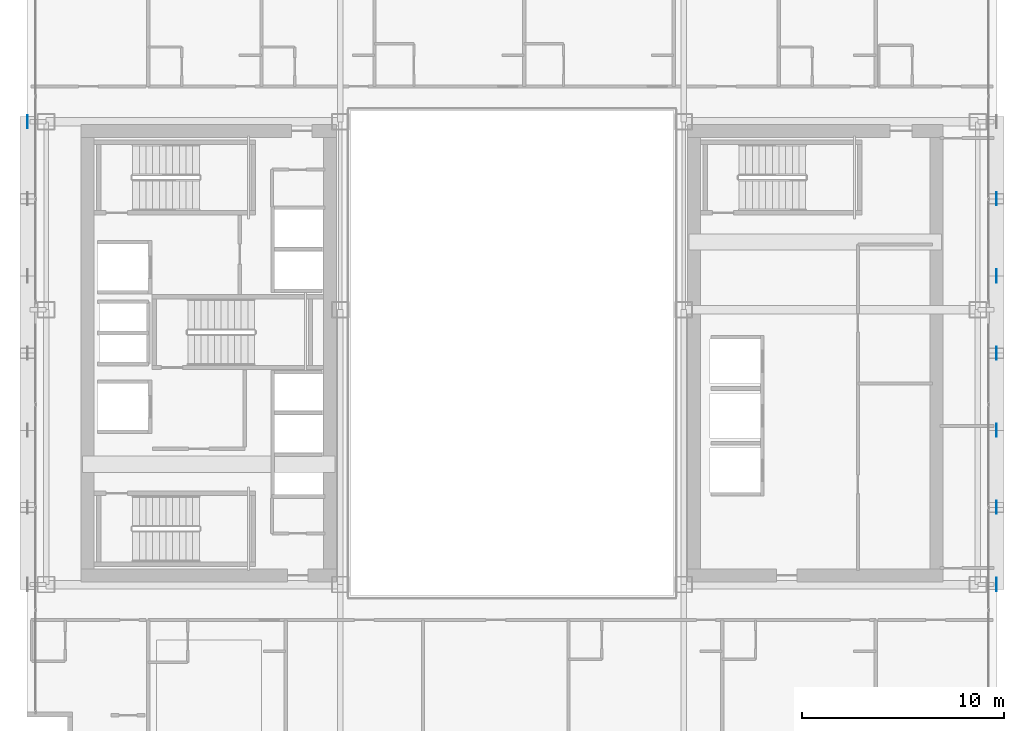
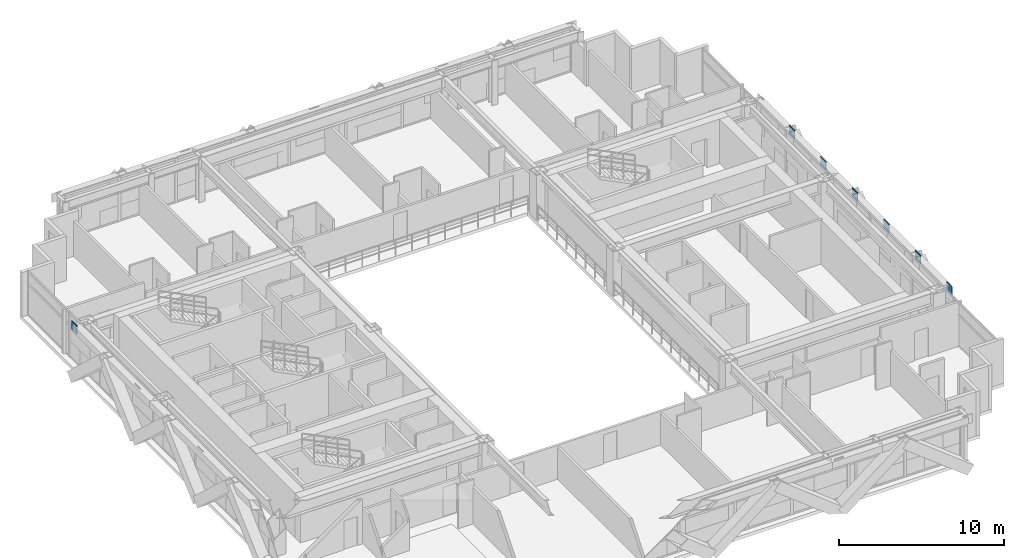
# One storey, part 26 of 36: 7 plates.
"""IFC4 building model written with IfcOpenShell, lengths in metres."""

from ifc_helpers import new_model, si_unit, direction, frame, origin, origin_2d, place, context, subcontext, project, spatial, rectangle, extrude, source, transform, mapped, material, layer, layer_set, type_object, element, save


model = new_model("IFC4")

# Units and contexts
model_context = context("Model", 3, precision=1e-05, world=origin(), true_north=direction((0.0, 1.0)))
body_context = subcontext(model_context, "Body", "Model", "MODEL_VIEW")
ifc_project = project(units=[si_unit("LENGTHUNIT", "METRE"), si_unit("AREAUNIT", "SQUARE_METRE"), si_unit("VOLUMEUNIT", "CUBIC_METRE"), si_unit("PLANEANGLEUNIT", "RADIAN"), si_unit("MASSUNIT", "GRAM", prefix="KILO")], contexts=[model_context])

# Site, building, storey
site_placement = place(None, origin())
site = spatial("IfcSite", under=ifc_project, at=site_placement, CompositionType="ELEMENT")
building_placement = place(site_placement, origin())
building = spatial("IfcBuilding", under=site, at=building_placement, Name="Ocotamira Hotel", CompositionType="ELEMENT")
storey_placement = place(building_placement, frame((0.0, 0.0, 147.60009765625)))
storey = spatial("IfcBuildingStorey", under=building, at=storey_placement, Name="L37", CompositionType="ELEMENT", Elevation=147.60009765625)

# Plates
ifc_material = material(Name="Pale-metal coated steel ASTM A572 Grade 50", Category="steel")
ifc_layer = layer(ifc_material, 0.0400390625)
ifc_layer_set = layer_set([ifc_layer], Name="Pale-metal coated steel ASTM A572 Grade 50")
plate_type = type_object("IfcPlateType", Name="PLT-GUSSET-40", PredefinedType="SHEET", material=ifc_layer_set)
shared_shape = source(origin(), body_context, "Body", "SweptSolid", [
    extrude(rectangle(XDim=0.0400390625, YDim=0.64990234375, at=origin_2d()), origin(), (0.0, 0.0, 1.0), 0.64990234375),
])
for number, where, z_axis, x_axis, name in (
    (1, (55.969970703125, 18.36669921875, 2.704833984375), (0.0, 0.0, 1.0), (1.0, 0.0, 0.0), "L37 Exoskeleton Diagrid E0.1 End Gusset B"),
    (2, (55.969970703125, 26.0, 2.704833984375), (0.0, 0.0, 1.0), (1.0, 0.0, 0.0), "L37 Exoskeleton Diagrid E1.1 End Gusset B"),
    (3, (55.969970703125, 33.63330078125, 2.704833984375), (0.0, 0.0, 1.0), (1.0, 0.0, 0.0), "L37 Exoskeleton Diagrid E2.1 End Gusset B"),
    (4, (8.030029296875, 37.449951171875, 2.704833984375), (0.0, 0.0, 1.0), (1.0, 0.0, 0.0), "L37 Exoskeleton Diagrid W2.2 End Gusset A"),
    (5, (55.969970703125, 14.550048828125, 2.704833984375), (0.0, 0.0, 1.0), (1.0, 0.0, 0.0), "L37 Exoskeleton Diagrid E0.1 End Gusset A"),
    (6, (55.969970703125, 22.183349609375, 2.704833984375), (0.0, 0.0, 1.0), (1.0, 0.0, 0.0), "L37 Exoskeleton Diagrid E0.2 End Gusset A"),
    (7, (55.969970703125, 29.816650390625, 2.704833984375), (0.0, 0.0, 1.0), (1.0, 0.0, 0.0), "L37 Exoskeleton Diagrid E1.2 End Gusset A"),
):
    element("IfcPlate", number, at=place(storey_placement, frame(where, z_axis=z_axis, x_axis=x_axis)), inside=storey, type_object=plate_type, Name=name, PredefinedType="SHEET", context=body_context, shape_type="MappedRepresentation", body=[
        mapped(shared_shape, transform((0.0, 0.0, 0.0), scale=1.0)),
    ])

save(model, "model.ifc")
